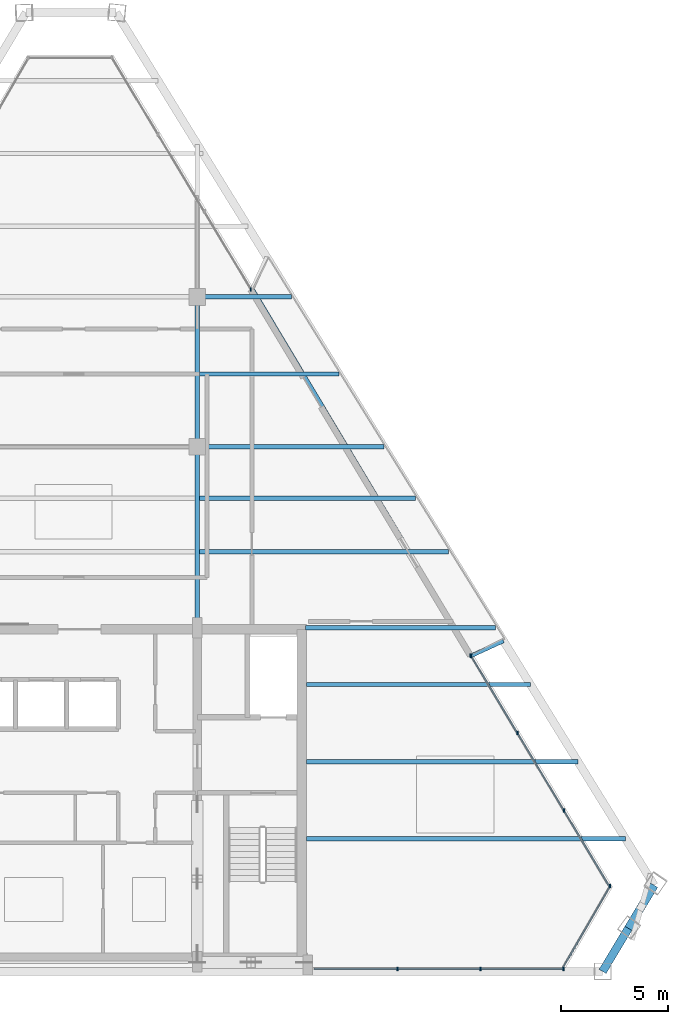
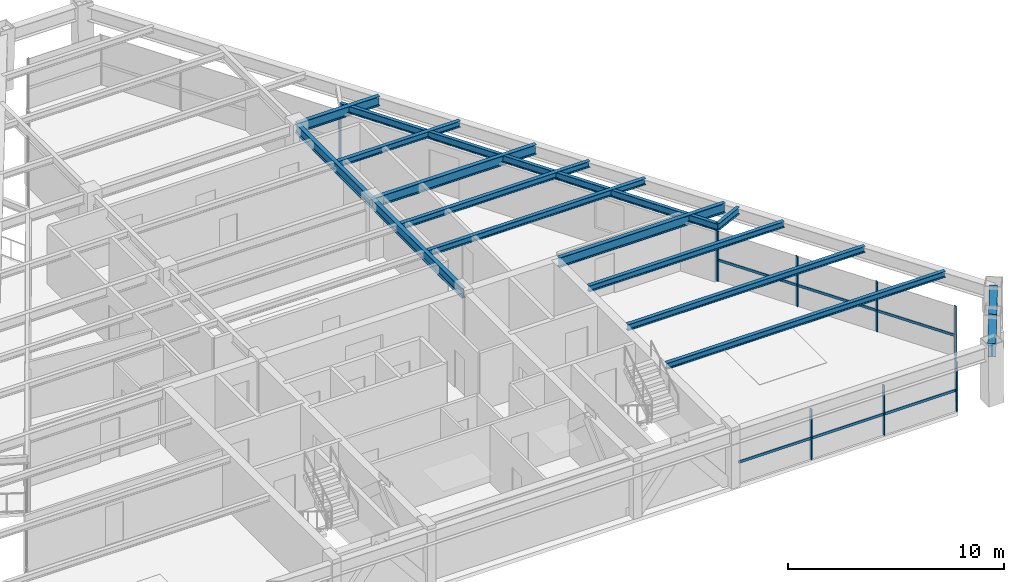
# One storey, part 5 of 13: 16 members, 15 beams, 4 elements without a shape of their own.
"""IFC4 building model written with IfcOpenShell, lengths in metres."""

from ifc_helpers import new_model, si_unit, direction, frame, origin, origin_2d, place, context, subcontext, project, spatial, rectangle, i_section, extrude, source, transform, mapped, material, material_profile, profile_set, type_object, type_shapes, element, aggregate, save


model = new_model("IFC4")

# Units and contexts
model_context = context("Model", 3, precision=1e-05, world=origin(), true_north=direction((0.0, 1.0)))
body_context = subcontext(model_context, "Body", "Model", "MODEL_VIEW")
ifc_project = project(units=[si_unit("LENGTHUNIT", "METRE"), si_unit("AREAUNIT", "SQUARE_METRE"), si_unit("VOLUMEUNIT", "CUBIC_METRE"), si_unit("PLANEANGLEUNIT", "RADIAN"), si_unit("MASSUNIT", "GRAM", prefix="KILO")], contexts=[model_context])

# Site, building, storey
site_placement = place(None, origin())
site = spatial("IfcSite", under=ifc_project, at=site_placement, CompositionType="ELEMENT")
building_placement = place(site_placement, origin())
building = spatial("IfcBuilding", under=site, at=building_placement, Name="Varnakhor Terracotta Tower", CompositionType="ELEMENT")
storey_placement = place(building_placement, frame((0.0, 0.0, 266.10009765625)))
storey = spatial("IfcBuildingStorey", under=building, at=storey_placement, Name="L69", CompositionType="ELEMENT", Elevation=266.10009765625)

# Beams
ifc_material_1 = material(Name="Steel S355", Category="steel")
ifc_material_profile_1 = material_profile(ifc_material_1, i_section(OverallWidth=0.214111328125, OverallDepth=0.549072265625, WebThickness=0.014892578125, FlangeThickness=0.02392578125, FilletRadius=0.01806640625, at=origin_2d()), Name="W21X93")
ifc_profile_set_1 = profile_set([ifc_material_profile_1], Name="Steel S355")
beam_type_1 = type_object("IfcBeamType", Name="BM-W21X93", PredefinedType="BEAM", material=ifc_profile_set_1)
shared_shape_1 = source(origin(), body_context, "Body", "SweptSolid", [
    extrude(i_section(OverallWidth=0.214111328125, OverallDepth=0.549072265625, WebThickness=0.014892578125, FlangeThickness=0.02392578125, FilletRadius=0.01806640625, at=origin_2d()), origin(), (0.0, 0.0, 1.0), 8.449951171875),
])
type_shapes(beam_type_1, [shared_shape_1])
beam_1_placement = place(storey_placement, frame((5.5, 16.050048828125, 2.96533203125), z_axis=(0.0, 1.0, 0.0), x_axis=(-1.0, 0.0, 0.0)))
element("IfcBeam", 1, at=beam_1_placement, inside=storey, type_object=beam_type_1, Name="L69 Primary Girder NS1-E", PredefinedType="BEAM", context=body_context, shape_type="MappedRepresentation", body=[
    mapped(shared_shape_1, transform((0.0, 0.0, 0.0), scale=1.0)),
])
shared_shape_2 = source(origin(), body_context, "Body", "SweptSolid", [
    extrude(i_section(OverallWidth=0.214111328125, OverallDepth=0.549072265625, WebThickness=0.014892578125, FlangeThickness=0.02392578125, FilletRadius=0.01806640625, at=origin_2d()), origin(), (0.0, 0.0, 1.0), 7.0),
])
beam_2_placement = place(storey_placement, frame((5.5, 24.5, 2.96533203125), z_axis=(0.0, 1.0, 0.0), x_axis=(-1.0, 0.0, 0.0)))
element("IfcBeam", 2, at=beam_2_placement, inside=storey, type_object=beam_type_1, Name="L69 Primary Girder NS2-E", PredefinedType="BEAM", context=body_context, shape_type="MappedRepresentation", body=[
    mapped(shared_shape_2, transform((0.0, 0.0, 0.0), scale=1.0)),
])
ifc_material_profile_2 = material_profile(ifc_material_1, i_section(OverallWidth=0.381103515625, OverallDepth=0.77294921875, WebThickness=0.01708984375, FlangeThickness=0.027099609375, FilletRadius=0.01806640625, at=origin_2d()), Name="W30X173")
ifc_profile_set_2 = profile_set([ifc_material_profile_2], Name="Steel S355")
beam_type_2 = type_object("IfcBeamType", Name="BM-W30X173", PredefinedType="BEAM", material=ifc_profile_set_2)
shared_shape_3 = source(origin(), body_context, "Body", "SweptSolid", [
    extrude(i_section(OverallWidth=0.381103515625, OverallDepth=0.77294921875, WebThickness=0.01708984375, FlangeThickness=0.027099609375, FilletRadius=0.01806640625, at=origin_2d()), origin(), (0.0, 0.0, 1.0), 2.344970703125),
])
beam_3_placement = place(storey_placement, frame((24.424560546875, 0.0, 2.853515625), z_axis=(0.513883216912, 0.857860151409, 0.0), x_axis=(-0.857860151409, 0.513883216912, 0.0)))
element("IfcBeam", 3, at=beam_3_placement, inside=storey, type_object=beam_type_2, Name="L69 Perimeter Spandrel 2", PredefinedType="BEAM", context=body_context, shape_type="MappedRepresentation", body=[
    mapped(shared_shape_3, transform((0.0, 0.0, 0.0), scale=1.0)),
])
shared_shape_4 = source(origin(), body_context, "Body", "SweptSolid", [
    extrude(i_section(OverallWidth=0.381103515625, OverallDepth=0.77294921875, WebThickness=0.01708984375, FlangeThickness=0.027099609375, FilletRadius=0.01806640625, at=origin_2d()), origin(), (0.0, 0.0, 1.0), 2.34521484375),
])
beam_4_placement = place(storey_placement, frame((25.629638671875, 2.01171875, 2.853515625), z_axis=(0.513837324764, 0.857887640475, 0.0), x_axis=(-0.857887640475, 0.513837324764, 0.0)))
element("IfcBeam", 4, at=beam_4_placement, inside=storey, type_object=beam_type_2, Name="L69 Perimeter Spandrel 3", PredefinedType="BEAM", context=body_context, shape_type="MappedRepresentation", body=[
    mapped(shared_shape_4, transform((0.0, 0.0, 0.0), scale=1.0)),
])
ifc_material_profile_3 = material_profile(ifc_material_1, i_section(OverallWidth=0.179931640625, OverallDepth=0.39990234375, WebThickness=0.008544921875, FlangeThickness=0.013427734375, FilletRadius=0.01806640625, at=origin_2d()), Name="IPE400")
ifc_profile_set_3 = profile_set([ifc_material_profile_3], Name="Steel S355")
beam_type_3 = type_object("IfcBeamType", Name="JST-IPE400", PredefinedType="JOIST", material=ifc_profile_set_3)
shared_shape_5 = source(origin(), body_context, "Body", "SweptSolid", [
    extrude(i_section(OverallWidth=0.179931640625, OverallDepth=0.39990234375, WebThickness=0.008544921875, FlangeThickness=0.013427734375, FilletRadius=0.01806640625, at=origin_2d()), origin(), (0.0, 0.0, 1.0), 19.958740234375),
])
beam_5_placement = place(storey_placement, frame((18.302001953125, 14.746337890625, 3.039794921875), z_axis=(-0.513030738902, 0.858370235354, 0.0), x_axis=(-0.858370235354, -0.513030738902, 0.0)))
element("IfcBeam", 5, at=beam_5_placement, inside=storey, type_object=beam_type_3, Name="L69 Loggia Edge Beam 1", PredefinedType="JOIST", context=body_context, shape_type="MappedRepresentation", body=[
    mapped(shared_shape_5, transform((0.0, 0.0, 0.0), scale=1.0)),
])
shared_shape_6 = source(origin(), body_context, "Body", "SweptSolid", [
    extrude(i_section(OverallWidth=0.214111328125, OverallDepth=0.549072265625, WebThickness=0.014892578125, FlangeThickness=0.02392578125, FilletRadius=0.01806640625, at=origin_2d()), origin(), (0.0, 0.0, 1.0), 8.868408203125),
])
beam_6_placement = place(storey_placement, frame((10.550048828125, 16.050048828125, 2.96533203125), z_axis=(1.0, 0.0, 0.0), x_axis=(0.0, 1.0, 0.0)))
element("IfcBeam", 6, at=beam_6_placement, inside=storey, type_object=beam_type_1, Name="L69 Wing Girder E", PredefinedType="BEAM", context=body_context, shape_type="MappedRepresentation", body=[
    mapped(shared_shape_6, transform((0.0, 0.0, 0.0), scale=1.0)),
])
shared_shape_7 = source(origin(), body_context, "Body", "SweptSolid", [
    extrude(i_section(OverallWidth=0.214111328125, OverallDepth=0.549072265625, WebThickness=0.014892578125, FlangeThickness=0.02392578125, FilletRadius=0.01806640625, at=origin_2d()), origin(), (0.0, 0.0, 1.0), 8.707763671875),
])
beam_7_placement = place(storey_placement, frame((5.5, 24.5, 2.96533203125), z_axis=(1.0, 0.0, 0.0), x_axis=(0.0, 1.0, 0.0)))
element("IfcBeam", 7, at=beam_7_placement, inside=storey, type_object=beam_type_1, Name="L69 Primary Girder EW2-3", PredefinedType="BEAM", context=body_context, shape_type="MappedRepresentation", body=[
    mapped(shared_shape_7, transform((0.0, 0.0, 0.0), scale=1.0)),
])
shared_shape_8 = source(origin(), body_context, "Body", "SweptSolid", [
    extrude(i_section(OverallWidth=0.214111328125, OverallDepth=0.549072265625, WebThickness=0.014892578125, FlangeThickness=0.02392578125, FilletRadius=0.01806640625, at=origin_2d()), origin(), (0.0, 0.0, 1.0), 4.39111328125),
])
beam_8_placement = place(storey_placement, frame((5.5, 31.5, 2.96533203125), z_axis=(1.0, 0.0, 0.0), x_axis=(0.0, 1.0, 0.0)))
element("IfcBeam", 8, at=beam_8_placement, inside=storey, type_object=beam_type_1, Name="L69 Primary Girder EW3-3", PredefinedType="BEAM", context=body_context, shape_type="MappedRepresentation", body=[
    mapped(shared_shape_8, transform((0.0, 0.0, 0.0), scale=1.0)),
])
ifc_material_profile_4 = material_profile(ifc_material_1, i_section(OverallWidth=0.202880859375, OverallDepth=0.346923828125, WebThickness=0.0078125, FlangeThickness=0.013427734375, FilletRadius=0.01806640625, at=origin_2d()), Name="W14X43")
ifc_profile_set_4 = profile_set([ifc_material_profile_4], Name="Steel S355")
beam_type_4 = type_object("IfcBeamType", Name="JST-W14X43", PredefinedType="JOIST", material=ifc_profile_set_4)
shared_shape_9 = source(origin(), body_context, "Body", "SweptSolid", [
    extrude(i_section(OverallWidth=0.202880859375, OverallDepth=0.346923828125, WebThickness=0.0078125, FlangeThickness=0.013427734375, FilletRadius=0.01806640625, at=origin_2d()), origin(), (0.0, 0.0, 1.0), 14.892578125),
])
beam_9_placement = place(storey_placement, frame((10.60009765625, 6.199951171875, 3.06640625), z_axis=(1.0, 0.0, 0.0), x_axis=(0.0, 1.0, 0.0)))
element("IfcBeam", 9, at=beam_9_placement, inside=storey, type_object=beam_type_4, Name="L69 Floor Joist E1", PredefinedType="JOIST", context=body_context, shape_type="MappedRepresentation", body=[
    mapped(shared_shape_9, transform((0.0, 0.0, 0.0), scale=1.0)),
])
shared_shape_10 = source(origin(), body_context, "Body", "SweptSolid", [
    extrude(i_section(OverallWidth=0.202880859375, OverallDepth=0.346923828125, WebThickness=0.0078125, FlangeThickness=0.013427734375, FilletRadius=0.01806640625, at=origin_2d()), origin(), (0.0, 0.0, 1.0), 12.672607421875),
])
beam_10_placement = place(storey_placement, frame((10.60009765625, 9.800048828125, 3.06640625), z_axis=(1.0, 0.0, 0.0), x_axis=(0.0, 1.0, 0.0)))
element("IfcBeam", 10, at=beam_10_placement, inside=storey, type_object=beam_type_4, Name="L69 Floor Joist E2", PredefinedType="JOIST", context=body_context, shape_type="MappedRepresentation", body=[
    mapped(shared_shape_10, transform((0.0, 0.0, 0.0), scale=1.0)),
])
shared_shape_11 = source(origin(), body_context, "Body", "SweptSolid", [
    extrude(i_section(OverallWidth=0.202880859375, OverallDepth=0.346923828125, WebThickness=0.0078125, FlangeThickness=0.013427734375, FilletRadius=0.01806640625, at=origin_2d()), origin(), (0.0, 0.0, 1.0), 10.45263671875),
])
beam_11_placement = place(storey_placement, frame((10.60009765625, 13.39990234375, 3.06640625), z_axis=(1.0, 0.0, 0.0), x_axis=(0.0, 1.0, 0.0)))
element("IfcBeam", 11, at=beam_11_placement, inside=storey, type_object=beam_type_4, Name="L69 Floor Joist E3", PredefinedType="JOIST", context=body_context, shape_type="MappedRepresentation", body=[
    mapped(shared_shape_11, transform((0.0, 0.0, 0.0), scale=1.0)),
])
shared_shape_12 = source(origin(), body_context, "Body", "SweptSolid", [
    extrude(i_section(OverallWidth=0.202880859375, OverallDepth=0.346923828125, WebThickness=0.0078125, FlangeThickness=0.013427734375, FilletRadius=0.01806640625, at=origin_2d()), origin(), (0.0, 0.0, 1.0), 11.626220703125),
])
beam_12_placement = place(storey_placement, frame((5.60302734375, 19.60009765625, 3.06640625), z_axis=(1.0, 0.0, 0.0), x_axis=(0.0, 1.0, 0.0)))
element("IfcBeam", 12, at=beam_12_placement, inside=storey, type_object=beam_type_4, Name="L69 Composite Floor Joist 4-3", PredefinedType="JOIST", context=body_context, shape_type="MappedRepresentation", body=[
    mapped(shared_shape_12, transform((0.0, 0.0, 0.0), scale=1.0)),
])
shared_shape_13 = source(origin(), body_context, "Body", "SweptSolid", [
    extrude(i_section(OverallWidth=0.202880859375, OverallDepth=0.346923828125, WebThickness=0.0078125, FlangeThickness=0.013427734375, FilletRadius=0.01806640625, at=origin_2d()), origin(), (0.0, 0.0, 1.0), 10.084716796875),
])
beam_13_placement = place(storey_placement, frame((5.60302734375, 22.10009765625, 3.06640625), z_axis=(1.0, 0.0, 0.0), x_axis=(0.0, 1.0, 0.0)))
element("IfcBeam", 13, at=beam_13_placement, inside=storey, type_object=beam_type_4, Name="L69 Composite Floor Joist 5-3", PredefinedType="JOIST", context=body_context, shape_type="MappedRepresentation", body=[
    mapped(shared_shape_13, transform((0.0, 0.0, 0.0), scale=1.0)),
])
shared_shape_14 = source(origin(), body_context, "Body", "SweptSolid", [
    extrude(i_section(OverallWidth=0.202880859375, OverallDepth=0.346923828125, WebThickness=0.0078125, FlangeThickness=0.013427734375, FilletRadius=0.01806640625, at=origin_2d()), origin(), (0.0, 0.0, 1.0), 6.508056640625),
])
beam_14_placement = place(storey_placement, frame((5.60302734375, 27.89990234375, 3.06640625), z_axis=(1.0, 0.0, 0.0), x_axis=(0.0, 1.0, 0.0)))
element("IfcBeam", 14, at=beam_14_placement, inside=storey, type_object=beam_type_4, Name="L69 Composite Floor Joist 6-3", PredefinedType="JOIST", context=body_context, shape_type="MappedRepresentation", body=[
    mapped(shared_shape_14, transform((0.0, 0.0, 0.0), scale=1.0)),
])

# Curtain wall, members
ifc_material_2 = material(Name="Anodised Aluminium Curtain Wall System", Category="aluminium")
curtain_wall_type = type_object("IfcCurtainWallType", Name="CW-SYS-HOTEL-LOGGIA", PredefinedType="NOTDEFINED", material=ifc_material_2)
curtain_wall_1_placement = place(storey_placement, origin())
curtain_wall_1 = element("IfcCurtainWall", 15, at=curtain_wall_1_placement, inside=storey, type_object=curtain_wall_type, Name="L69 E Facet Curtain Wall 2", PredefinedType="NOTDEFINED")
ifc_material_3 = material(Name="Anodised Aluminium 6063-T6", Category="aluminium")
ifc_material_profile_5 = material_profile(ifc_material_3, rectangle(XDim=0.06494140625, YDim=0.159912109375, at=origin_2d()), Name="ALU MULLION 65x160")
ifc_profile_set_5 = profile_set([ifc_material_profile_5], Name="Anodised Aluminium 6063-T6")
member_type_1 = type_object("IfcMemberType", Name="CWM-04", PredefinedType="MULLION", material=ifc_profile_set_5)
shared_shape_15 = source(origin(), body_context, "Body", "SweptSolid", [
    extrude(rectangle(XDim=0.06494140625, YDim=0.159912109375, at=origin_2d()), origin(), (0.0, 0.0, 1.0), 2.81982421875),
])
member_1_placement = place(storey_placement, frame((18.28369140625, 14.734375, 0.0), z_axis=(0.0, 0.0, 1.0), x_axis=(1.0, 0.0, 0.0)))
member_1 = element("IfcMember", 16, at=member_1_placement, type_object=member_type_1, Name="L69 E Facet Curtain Wall 2 Mullion 1", PredefinedType="MULLION", context=body_context, shape_type="MappedRepresentation", body=[
    mapped(shared_shape_15, transform((0.0, 0.0, 0.0), scale=1.0)),
])
member_2_placement = place(storey_placement, frame((20.44873046875, 11.127197265625, 0.0), z_axis=(0.0, 0.0, 1.0), x_axis=(1.0, 0.0, 0.0)))
member_2 = element("IfcMember", 17, at=member_2_placement, type_object=member_type_1, Name="L69 E Facet Curtain Wall 2 Mullion 2", PredefinedType="MULLION", context=body_context, shape_type="MappedRepresentation", body=[
    mapped(shared_shape_15, transform((0.0, 0.0, 0.0), scale=1.0)),
])
member_3_placement = place(storey_placement, frame((22.614013671875, 7.52001953125, 0.0), z_axis=(0.0, 0.0, 1.0), x_axis=(1.0, 0.0, 0.0)))
member_3 = element("IfcMember", 18, at=member_3_placement, type_object=member_type_1, Name="L69 E Facet Curtain Wall 2 Mullion 3", PredefinedType="MULLION", context=body_context, shape_type="MappedRepresentation", body=[
    mapped(shared_shape_15, transform((0.0, 0.0, 0.0), scale=1.0)),
])

# Curtain wall, member
curtain_wall_2_placement = place(storey_placement, origin())
curtain_wall_2 = element("IfcCurtainWall", 19, at=curtain_wall_2_placement, inside=storey, type_object=curtain_wall_type, Name="L69 E Facet Curtain Wall 1", PredefinedType="NOTDEFINED")
member_4_placement = place(storey_placement, frame((7.9951171875, 31.836181640625, 0.0), z_axis=(0.0, 0.0, 1.0), x_axis=(1.0, 0.0, 0.0)))
member_4 = element("IfcMember", 20, at=member_4_placement, type_object=member_type_1, Name="L69 E Loggia Jamb Closure Mullion 1", PredefinedType="MULLION", context=body_context, shape_type="MappedRepresentation", body=[
    mapped(shared_shape_15, transform((0.0, 0.0, 0.0), scale=1.0)),
])
aggregate(curtain_wall_2, [member_4])

# Member
member_5_placement = place(storey_placement, frame((18.2509765625, 14.749755859375, 0.0), z_axis=(0.0, 0.0, 1.0), x_axis=(1.0, 0.0, 0.0)))
member_5 = element("IfcMember", 21, at=member_5_placement, type_object=member_type_1, Name="L69 E Loggia Jamb Closure Mullion 2", PredefinedType="MULLION", context=body_context, shape_type="MappedRepresentation", body=[
    mapped(shared_shape_15, transform((0.0, 0.0, 0.0), scale=1.0)),
])

# Curtain wall, member
curtain_wall_3_placement = place(storey_placement, origin())
curtain_wall_3 = element("IfcCurtainWall", 22, at=curtain_wall_3_placement, inside=storey, type_object=curtain_wall_type, Name="L69 Facet Curtain Wall 4", PredefinedType="NOTDEFINED")
member_6_placement = place(storey_placement, frame((24.778564453125, 3.983154296875, 0.0), z_axis=(0.0, 0.0, 1.0), x_axis=(1.0, 0.0, 0.0)))
member_6 = element("IfcMember", 23, at=member_6_placement, type_object=member_type_1, Name="L69 Facet Curtain Wall 4 Mullion 1", PredefinedType="MULLION", context=body_context, shape_type="MappedRepresentation", body=[
    mapped(shared_shape_15, transform((0.0, 0.0, 0.0), scale=1.0)),
])

# Curtain wall, members
curtain_wall_4_placement = place(storey_placement, origin())
curtain_wall_4 = element("IfcCurtainWall", 24, at=curtain_wall_4_placement, inside=storey, type_object=curtain_wall_type, Name="L69 South Wing Curtain Wall SSE", PredefinedType="NOTDEFINED")
member_7_placement = place(storey_placement, frame((22.596435546875, 0.1201171875, 0.0), z_axis=(0.0, 0.0, 1.0), x_axis=(1.0, 0.0, 0.0)))
member_7 = element("IfcMember", 25, at=member_7_placement, type_object=member_type_1, Name="L69 South Wing Curtain Wall SSE Mullion 1", PredefinedType="MULLION", context=body_context, shape_type="MappedRepresentation", body=[
    mapped(shared_shape_15, transform((0.0, 0.0, 0.0), scale=1.0)),
])
member_8_placement = place(storey_placement, frame((18.720947265625, 0.1201171875, 0.0), z_axis=(0.0, 0.0, 1.0), x_axis=(1.0, 0.0, 0.0)))
member_8 = element("IfcMember", 26, at=member_8_placement, type_object=member_type_1, Name="L69 South Wing Curtain Wall SSE Mullion 2", PredefinedType="MULLION", context=body_context, shape_type="MappedRepresentation", body=[
    mapped(shared_shape_15, transform((0.0, 0.0, 0.0), scale=1.0)),
])
member_9_placement = place(storey_placement, frame((14.845458984375, 0.1201171875, 0.0), z_axis=(0.0, 0.0, 1.0), x_axis=(1.0, 0.0, 0.0)))
member_9 = element("IfcMember", 27, at=member_9_placement, type_object=member_type_1, Name="L69 South Wing Curtain Wall SSE Mullion 3", PredefinedType="MULLION", context=body_context, shape_type="MappedRepresentation", body=[
    mapped(shared_shape_15, transform((0.0, 0.0, 0.0), scale=1.0)),
])

# Member
ifc_material_profile_6 = material_profile(ifc_material_3, rectangle(XDim=0.06494140625, YDim=0.14501953125, at=origin_2d()), Name="ALU TRANSOM 65x145")
ifc_profile_set_6 = profile_set([ifc_material_profile_6], Name="Anodised Aluminium 6063-T6")
member_type_2 = type_object("IfcMemberType", Name="CWT-04", PredefinedType="USERDEFINED", material=ifc_profile_set_6)
shared_shape_16 = source(origin(), body_context, "Body", "SweptSolid", [
    extrude(rectangle(XDim=0.06494140625, YDim=0.14501953125, at=origin_2d()), origin(), (0.0, 0.0, 1.0), 4.207275390625),
])
member_10_placement = place(storey_placement, frame((20.44873046875, 11.127197265625, 1.184326171875), z_axis=(0.51466642116, -0.857390503173, 0.0), x_axis=(0.857390503173, 0.51466642116, 0.0)))
member_10 = element("IfcMember", 28, at=member_10_placement, type_object=member_type_2, Name="L69 E Facet Curtain Wall 2 Transom 2", ObjectType="TRANSOM", PredefinedType="USERDEFINED", context=body_context, shape_type="MappedRepresentation", body=[
    mapped(shared_shape_16, transform((0.0, 0.0, 0.0), scale=1.0)),
])

member_11_placement = place(storey_placement, frame((22.614013671875, 7.52001953125, 1.184326171875), z_axis=(0.51466642116, -0.857390503173, 0.0), x_axis=(0.857390503173, 0.51466642116, 0.0)))
member_11 = element("IfcMember", 29, at=member_11_placement, type_object=member_type_2, Name="L69 E Facet Curtain Wall 2 Transom 3", ObjectType="TRANSOM", PredefinedType="USERDEFINED", context=body_context, shape_type="MappedRepresentation", body=[
    mapped(shared_shape_16, transform((0.0, 0.0, 0.0), scale=1.0)),
])

shared_shape_17 = source(origin(), body_context, "Body", "SweptSolid", [
    extrude(rectangle(XDim=0.06494140625, YDim=0.14501953125, at=origin_2d()), origin(), (0.0, 0.0, 1.0), 4.20703125),
])
member_12_placement = place(storey_placement, frame((18.28369140625, 14.734375, 1.184326171875), z_axis=(0.51462376046, -0.857416109698, 0.0), x_axis=(0.857416109698, 0.51462376046, 0.0)))
member_12 = element("IfcMember", 30, at=member_12_placement, type_object=member_type_2, Name="L69 E Facet Curtain Wall 2 Transom 1", ObjectType="TRANSOM", PredefinedType="USERDEFINED", context=body_context, shape_type="MappedRepresentation", body=[
    mapped(shared_shape_17, transform((0.0, 0.0, 0.0), scale=1.0)),
])

aggregate(curtain_wall_1, [member_1, member_12, member_2, member_10, member_3, member_11, member_5])

shared_shape_18 = source(origin(), body_context, "Body", "SweptSolid", [
    extrude(rectangle(XDim=0.06494140625, YDim=0.14501953125, at=origin_2d()), origin(), (0.0, 0.0, 1.0), 4.50537109375),
])
member_13_placement = place(storey_placement, frame((24.778564453125, 3.983154296875, 1.184326171875), z_axis=(-0.501800808153, -0.864983207315, 0.0), x_axis=(0.864983207315, -0.501800808153, 0.0)))
member_13 = element("IfcMember", 31, at=member_13_placement, type_object=member_type_2, Name="L69 Facet Curtain Wall 4 Transom 1", ObjectType="TRANSOM", PredefinedType="USERDEFINED", context=body_context, shape_type="MappedRepresentation", body=[
    mapped(shared_shape_18, transform((0.0, 0.0, 0.0), scale=1.0)),
])

aggregate(curtain_wall_3, [member_6, member_13])

shared_shape_19 = source(origin(), body_context, "Body", "SweptSolid", [
    extrude(rectangle(XDim=0.06494140625, YDim=0.14501953125, at=origin_2d()), origin(), (0.0, 0.0, 1.0), 3.87548828125),
])
member_14_placement = place(storey_placement, frame((22.596435546875, 0.1201171875, 1.184326171875), z_axis=(-1.0, 0.0, 0.0), x_axis=(0.0, -1.0, 0.0)))
member_14 = element("IfcMember", 32, at=member_14_placement, type_object=member_type_2, Name="L69 South Wing Curtain Wall SSE Transom 1", ObjectType="TRANSOM", PredefinedType="USERDEFINED", context=body_context, shape_type="MappedRepresentation", body=[
    mapped(shared_shape_19, transform((0.0, 0.0, 0.0), scale=1.0)),
])

member_15_placement = place(storey_placement, frame((18.720947265625, 0.1201171875, 1.184326171875), z_axis=(-1.0, 0.0, 0.0), x_axis=(0.0, -1.0, 0.0)))
member_15 = element("IfcMember", 33, at=member_15_placement, type_object=member_type_2, Name="L69 South Wing Curtain Wall SSE Transom 2", ObjectType="TRANSOM", PredefinedType="USERDEFINED", context=body_context, shape_type="MappedRepresentation", body=[
    mapped(shared_shape_19, transform((0.0, 0.0, 0.0), scale=1.0)),
])

member_16_placement = place(storey_placement, frame((14.845458984375, 0.1201171875, 1.184326171875), z_axis=(-1.0, 0.0, 0.0), x_axis=(0.0, -1.0, 0.0)))
member_16 = element("IfcMember", 34, at=member_16_placement, type_object=member_type_2, Name="L69 South Wing Curtain Wall SSE Transom 3", ObjectType="TRANSOM", PredefinedType="USERDEFINED", context=body_context, shape_type="MappedRepresentation", body=[
    mapped(shared_shape_19, transform((0.0, 0.0, 0.0), scale=1.0)),
])

aggregate(curtain_wall_4, [member_7, member_14, member_8, member_15, member_9, member_16])

# Beam
shared_shape_20 = source(origin(), body_context, "Body", "SweptSolid", [
    extrude(i_section(OverallWidth=0.179931640625, OverallDepth=0.39990234375, WebThickness=0.008544921875, FlangeThickness=0.013427734375, FilletRadius=0.01806640625, at=origin_2d()), origin(), (0.0, 0.0, 1.0), 1.646728515625),
])
beam_15_placement = place(storey_placement, frame((18.302001953125, 14.746337890625, 3.039794921875), z_axis=(0.908483698293, 0.417920291366, 0.0), x_axis=(-0.417920291366, 0.908483698293, 0.0)))
element("IfcBeam", 35, at=beam_15_placement, inside=storey, type_object=beam_type_3, Name="L70 E Loggia Tie Beam 2", PredefinedType="JOIST", context=body_context, shape_type="MappedRepresentation", body=[
    mapped(shared_shape_20, transform((0.0, 0.0, 0.0), scale=1.0)),
])

save(model, "model.ifc")
